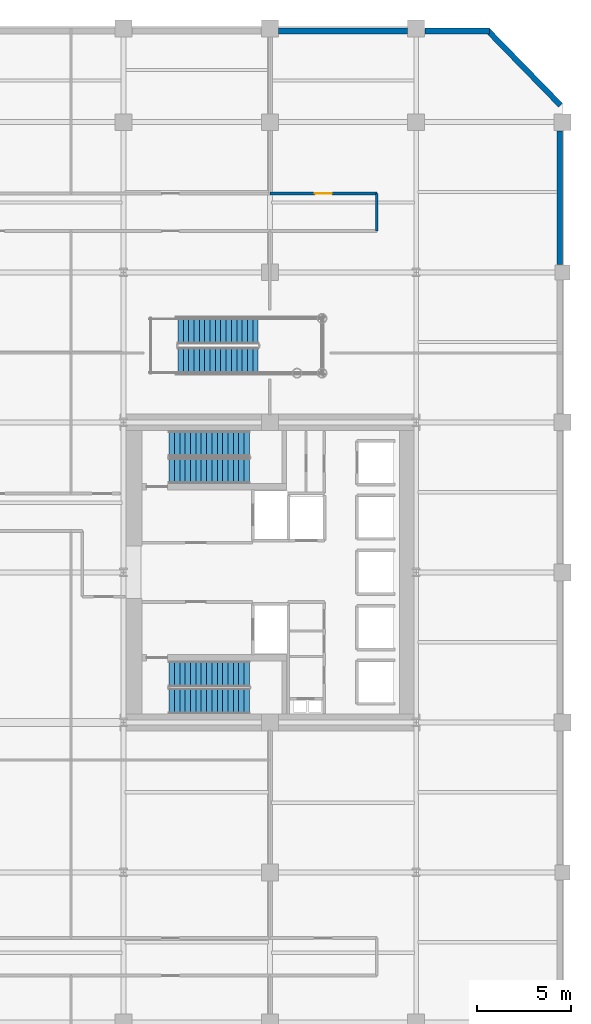
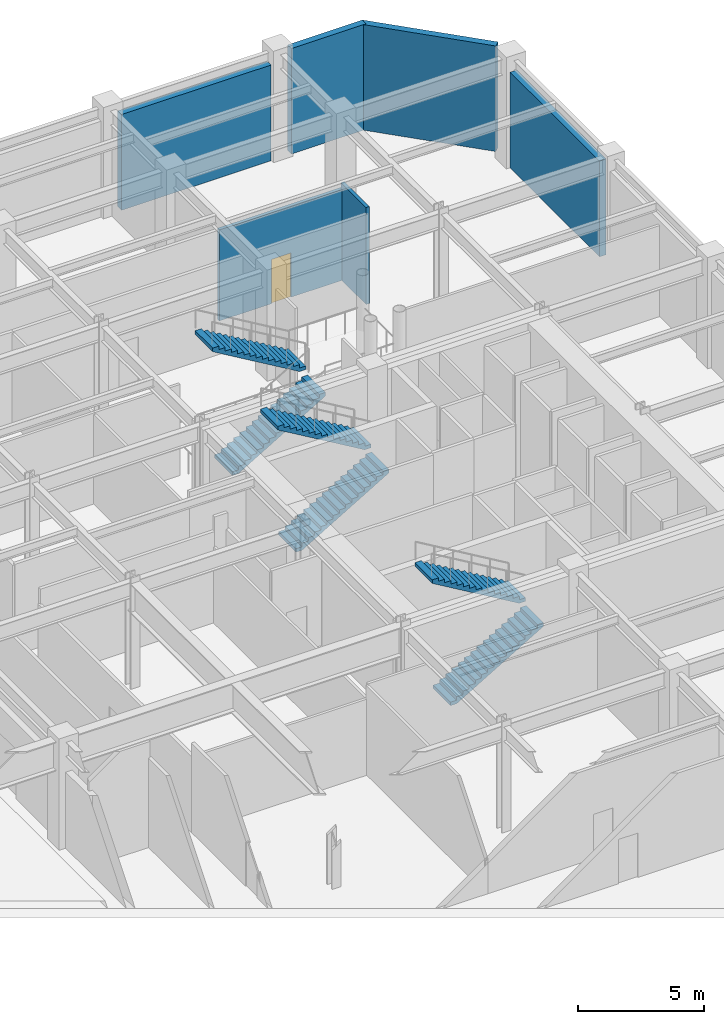
# One storey, part 10 of 11: 6 stair flights, 6 walls, 1 door, 1 opening, 3 elements without a shape of their own.
"""IFC4 building model written with IfcOpenShell, lengths in metres."""

from ifc_helpers import new_model, si_unit, direction, frame, frame_2d, origin, place, context, subcontext, project, spatial, polyline, rectangle, outline, extrude, material, layer, layer_set, type_object, element, fill, aggregate, save


model = new_model("IFC4")

# Units and contexts
model_context = context("Model", 3, precision=1e-05, world=origin(), true_north=direction((0.0, 1.0)))
body_context = subcontext(model_context, "Body", "Model", "MODEL_VIEW")
ifc_project = project(units=[si_unit("LENGTHUNIT", "METRE"), si_unit("AREAUNIT", "SQUARE_METRE"), si_unit("VOLUMEUNIT", "CUBIC_METRE"), si_unit("PLANEANGLEUNIT", "RADIAN"), si_unit("MASSUNIT", "GRAM", prefix="KILO")], contexts=[model_context])

# Site, building, storey
site_placement = place(None, origin())
site = spatial("IfcSite", under=ifc_project, at=site_placement, CompositionType="ELEMENT")
building_placement = place(site_placement, origin())
building = spatial("IfcBuilding", under=site, at=building_placement, Name="Veymaron Broadcast Tower", CompositionType="ELEMENT")
storey_placement = place(building_placement, frame((0.0, 0.0, 16.199951171875)))
storey = spatial("IfcBuildingStorey", under=building, at=storey_placement, Name="L03", CompositionType="ELEMENT", Elevation=16.199951171875)

# Walls
ifc_material_1 = material(Name="Precast concrete C40/50 with mineral-wool insulation", Category="concrete")
ifc_layer_1 = layer(ifc_material_1, 0.300048828125)
ifc_layer_set_1 = layer_set([ifc_layer_1], Name="Precast concrete C40/50 with mineral-wool insulation")
wall_type_1 = type_object("IfcWallType", Name="WALL-EXT-300", PredefinedType="STANDARD", material=ifc_layer_set_1)
wall_1_placement = place(storey_placement, frame((62.260009765625, 40.41796875, 0.0), z_axis=(0.0, 0.0, 1.0), x_axis=(0.0, 1.0, 0.0)))
element("IfcWall", 1, at=wall_1_placement, inside=storey, type_object=wall_type_1, Name="L03 notched corner facade pier 2-7", PredefinedType="STANDARD", context=body_context, shape_type="SweptSolid", body=[
    extrude(rectangle(XDim=7.114013671875, YDim=0.300048828125, at=frame_2d((3.55712890625, 0.0))), origin(), (0.0, 0.0, 1.0), 4.64794921875),
])
wall_2_placement = place(storey_placement, frame((62.2998046875, 48.90234375, 0.0), z_axis=(0.0, 0.0, 1.0), x_axis=(-0.698091174493, 0.716008877106, 0.0)))
element("IfcWall", 2, at=wall_2_placement, inside=storey, type_object=wall_type_1, Name="L03 notched corner facade pier 3-1", PredefinedType="STANDARD", context=body_context, shape_type="SweptSolid", body=[
    extrude(rectangle(XDim=5.58642578125, YDim=0.300048828125, at=frame_2d((2.793212890625, 0.0))), origin(), (0.0, 0.0, 1.0), 5.1201171875),
])
wall_3_placement = place(storey_placement, frame((58.5, 52.860107421875, 0.0), z_axis=(0.0, 0.0, 1.0), x_axis=(-1.0, 0.0, 0.0)))
element("IfcWall", 3, at=wall_3_placement, inside=storey, type_object=wall_type_1, Name="L03 notched corner facade pier 4-1", PredefinedType="STANDARD", context=body_context, shape_type="SweptSolid", body=[
    extrude(rectangle(XDim=3.431884765625, YDim=0.300048828125, at=frame_2d((1.7158203125, 0.0))), origin(), (0.0, 0.0, 1.0), 5.1201171875),
])
wall_4_placement = place(storey_placement, frame((54.132080078125, 52.860107421875, 0.0), z_axis=(0.0, 0.0, 1.0), x_axis=(-1.0, 0.0, 0.0)))
element("IfcWall", 4, at=wall_4_placement, inside=storey, type_object=wall_type_1, Name="L03 notched corner facade pier 4-2", PredefinedType="STANDARD", context=body_context, shape_type="SweptSolid", body=[
    extrude(rectangle(XDim=6.864013671875, YDim=0.300048828125, at=frame_2d((3.43212890625, 0.0))), origin(), (0.0, 0.0, 1.0), 4.64794921875),
])

# Wall, opening, door
ifc_material_2 = material(Name="Gypsum fireboard and steel stud framing", Category="steel")
ifc_layer_2 = layer(ifc_material_2, 0.14990234375)
ifc_layer_set_2 = layer_set([ifc_layer_2], Name="Gypsum fireboard and steel stud framing")
wall_type_2 = type_object("IfcWallType", Name="WALL-FIRE-150", PredefinedType="PARTITIONING", material=ifc_layer_set_2)
wall_5_placement = place(storey_placement, frame((46.800048828125, 44.199951171875, 0.0), z_axis=(0.0, 0.0, 1.0), x_axis=(1.0, 0.0, 0.0)))
wall_5 = element("IfcWall", 5, at=wall_5_placement, inside=storey, type_object=wall_type_2, Name="L03 partition IW-L03-P28", PredefinedType="PARTITIONING", context=body_context, shape_type="SweptSolid", body=[
    extrude(rectangle(XDim=5.699951171875, YDim=0.14990234375, at=frame_2d((2.85009765625, 0.0))), origin(), (0.0, 0.0, 1.0), 4.4150390625),
])
opening_placement = place(wall_5_placement, frame((2.39990234375, 0.0, 0.0)))
opening = element("IfcOpeningElement", 6, at=opening_placement, cuts=wall_5, Name="Opening ID-RM2", PredefinedType="OPENING", context=body_context, shape_type="SweptSolid", body=[
    extrude(rectangle(XDim=0.89990234375, YDim=2.14990234375, at=frame_2d((0.449951171875, 1.074951171875))), frame((0.0, 0.0849609375, 0.0), z_axis=(0.0, -1.0, 0.0), x_axis=(1.0, 0.0, 0.0)), (0.0, 0.0, 1.0), 0.169921875),
])
ifc_material_3 = material(Name="Acoustic solid-core European oak veneer timber", Category="wood")
door_type = type_object("IfcDoorType", Name="DOOR-INT-900", OperationType="NOTDEFINED", PredefinedType="DOOR", material=ifc_material_3)
door_placement = place(opening_placement, origin())
door = element("IfcDoor", 7, at=door_placement, inside=storey, type_object=door_type, Name="L03 door DR-L03-P28", OperationType="SINGLE_SWING_LEFT", OverallHeight=2.14990234375, OverallWidth=0.89990234375, PredefinedType="DOOR", context=body_context, shape_type="SweptSolid", body=[
    extrude(rectangle(XDim=0.89990234375, YDim=2.14990234375, at=frame_2d((0.449951171875, 1.074951171875))), frame((0.0, 0.02490234375, 0.0), z_axis=(0.0, -1.0, 0.0), x_axis=(1.0, 0.0, 0.0)), (0.0, 0.0, 1.0), 0.050048828125),
])
fill(opening, door)

# Wall
wall_6_placement = place(storey_placement, frame((52.5, 42.199951171875, 0.0), z_axis=(0.0, 0.0, 1.0), x_axis=(0.0, 1.0, 0.0)))
element("IfcWall", 8, at=wall_6_placement, inside=storey, type_object=wall_type_2, Name="L03 partition IW-L03-P30", PredefinedType="PARTITIONING", context=body_context, shape_type="SweptSolid", body=[
    extrude(rectangle(XDim=2.0, YDim=0.14990234375, at=frame_2d((1.0, 0.0))), origin(), (0.0, 0.0, 1.0), 4.700927734375),
])

# Stair, stair flights
ifc_material_4 = material(Name="Concrete C50/60", Category="concrete")
stair_type_1 = type_object("IfcStairType", Name="STAIR-CORE-1", PredefinedType="HALF_TURN_STAIR", material=ifc_material_4)
stair_1_placement = place(storey_placement, origin())
stair_1 = element("IfcStair", 9, at=stair_1_placement, inside=storey, type_object=stair_type_1, Name="L03 North protected dog-leg exit stair ST1", PredefinedType="HALF_TURN_STAIR")
ifc_material_5 = material(Name="Precast concrete C50/60", Category="concrete")
stair_flight_type_1 = type_object("IfcStairFlightType", Name="FLT-CORE-RC", PredefinedType="STRAIGHT", material=ifc_material_5)
stair_flight_1_placement = place(storey_placement, frame((41.429931640625, 29.419921875, 0.0), z_axis=(0.0, 0.0, 1.0), x_axis=(1.0, 0.0, 0.0)))
stair_flight_1 = element("IfcStairFlight", 10, at=stair_flight_1_placement, type_object=stair_flight_type_1, Name="ST1 flight 1", NumberOfRisers=16, NumberOfTreads=15, PredefinedType="STRAIGHT", RiserHeight=0.16875, TreadLength=0.285, context=body_context, shape_type="SweptSolid", body=[
    extrude(outline(polyline([(0.0, 0.0), (0.0, 0.168701171875), (0.284912109375, 0.168701171875), (0.284912109375, 0.33740234375), (0.570068359375, 0.33740234375), (0.570068359375, 0.50634765625), (0.85498046875, 0.50634765625), (0.85498046875, 0.675048828125), (1.139892578125, 0.675048828125), (1.139892578125, 0.84375), (1.425048828125, 0.84375), (1.425048828125, 1.012451171875), (1.7099609375, 1.012451171875), (1.7099609375, 1.18115234375), (1.9951171875, 1.18115234375), (1.9951171875, 1.35009765625), (2.280029296875, 1.35009765625), (2.280029296875, 1.518798828125), (2.56494140625, 1.518798828125), (2.56494140625, 1.6875), (2.85009765625, 1.6875), (2.85009765625, 1.856201171875), (3.135009765625, 1.856201171875), (3.135009765625, 2.02490234375), (3.419921875, 2.02490234375), (3.419921875, 2.19384765625), (3.705078125, 2.19384765625), (3.705078125, 2.362548828125), (3.989990234375, 2.362548828125), (3.989990234375, 2.53125), (4.27490234375, 2.53125), (4.27490234375, 2.699951171875), (4.27490234375, 2.35693359375), (0.294189453125, 0.0), (0.0, 0.0)])), frame((0.0, 0.68994140625, 0.0), z_axis=(0.0, -1.0, 0.0), x_axis=(1.0, 0.0, 0.0)), (0.0, 0.0, 1.0), 1.3798828125),
])
stair_flight_2_placement = place(storey_placement, frame((45.705078125, 30.860107421875, 2.699951171875), z_axis=(0.0, 0.0, 1.0), x_axis=(-1.0, 0.0, 0.0)))
stair_flight_2 = element("IfcStairFlight", 11, at=stair_flight_2_placement, type_object=stair_flight_type_1, Name="ST1 flight 2", NumberOfRisers=16, NumberOfTreads=15, PredefinedType="STRAIGHT", RiserHeight=0.16875, TreadLength=0.285, context=body_context, shape_type="SweptSolid", body=[
    extrude(outline(polyline([(0.0, 0.0), (0.0, 0.168701171875), (0.284912109375, 0.168701171875), (0.284912109375, 0.33740234375), (0.570068359375, 0.33740234375), (0.570068359375, 0.50634765625), (0.85498046875, 0.50634765625), (0.85498046875, 0.675048828125), (1.139892578125, 0.675048828125), (1.139892578125, 0.84375), (1.425048828125, 0.84375), (1.425048828125, 1.012451171875), (1.7099609375, 1.012451171875), (1.7099609375, 1.18115234375), (1.9951171875, 1.18115234375), (1.9951171875, 1.35009765625), (2.280029296875, 1.35009765625), (2.280029296875, 1.518798828125), (2.56494140625, 1.518798828125), (2.56494140625, 1.6875), (2.85009765625, 1.6875), (2.85009765625, 1.856201171875), (3.135009765625, 1.856201171875), (3.135009765625, 2.02490234375), (3.419921875, 2.02490234375), (3.419921875, 2.19384765625), (3.705078125, 2.19384765625), (3.705078125, 2.362548828125), (3.989990234375, 2.362548828125), (3.989990234375, 2.53125), (4.27490234375, 2.53125), (4.27490234375, 2.699951171875), (4.27490234375, 2.35693359375), (0.294189453125, 0.0), (0.0, 0.0)])), frame((0.0, 0.68994140625, 0.0), z_axis=(0.0, -1.0, 0.0), x_axis=(1.0, 0.0, 0.0)), (0.0, 0.0, 1.0), 1.3798828125),
])
aggregate(stair_1, [stair_flight_1, stair_flight_2])

stair_type_2 = type_object("IfcStairType", Name="STAIR-CORE-2", PredefinedType="HALF_TURN_STAIR", material=ifc_material_4)
stair_2_placement = place(storey_placement, origin())
stair_2 = element("IfcStair", 12, at=stair_2_placement, inside=storey, type_object=stair_type_2, Name="L03 South protected dog-leg exit stair ST2", PredefinedType="HALF_TURN_STAIR")
stair_flight_3_placement = place(storey_placement, frame((41.429931640625, 17.139892578125, 0.0), z_axis=(0.0, 0.0, 1.0), x_axis=(1.0, 0.0, 0.0)))
stair_flight_3 = element("IfcStairFlight", 13, at=stair_flight_3_placement, type_object=stair_flight_type_1, Name="ST2 flight 1", NumberOfRisers=16, NumberOfTreads=15, PredefinedType="STRAIGHT", RiserHeight=0.16875, TreadLength=0.285, context=body_context, shape_type="SweptSolid", body=[
    extrude(outline(polyline([(0.0, 0.0), (0.0, 0.168701171875), (0.284912109375, 0.168701171875), (0.284912109375, 0.33740234375), (0.570068359375, 0.33740234375), (0.570068359375, 0.50634765625), (0.85498046875, 0.50634765625), (0.85498046875, 0.675048828125), (1.139892578125, 0.675048828125), (1.139892578125, 0.84375), (1.425048828125, 0.84375), (1.425048828125, 1.012451171875), (1.7099609375, 1.012451171875), (1.7099609375, 1.18115234375), (1.9951171875, 1.18115234375), (1.9951171875, 1.35009765625), (2.280029296875, 1.35009765625), (2.280029296875, 1.518798828125), (2.56494140625, 1.518798828125), (2.56494140625, 1.6875), (2.85009765625, 1.6875), (2.85009765625, 1.856201171875), (3.135009765625, 1.856201171875), (3.135009765625, 2.02490234375), (3.419921875, 2.02490234375), (3.419921875, 2.19384765625), (3.705078125, 2.19384765625), (3.705078125, 2.362548828125), (3.989990234375, 2.362548828125), (3.989990234375, 2.53125), (4.27490234375, 2.53125), (4.27490234375, 2.699951171875), (4.27490234375, 2.35693359375), (0.294189453125, 0.0), (0.0, 0.0)])), frame((0.0, 0.68994140625, 0.0), z_axis=(0.0, -1.0, 0.0), x_axis=(1.0, 0.0, 0.0)), (0.0, 0.0, 1.0), 1.3798828125),
])
stair_flight_4_placement = place(storey_placement, frame((45.705078125, 18.580078125, 2.699951171875), z_axis=(0.0, 0.0, 1.0), x_axis=(-1.0, 0.0, 0.0)))
stair_flight_4 = element("IfcStairFlight", 14, at=stair_flight_4_placement, type_object=stair_flight_type_1, Name="ST2 flight 2", NumberOfRisers=16, NumberOfTreads=15, PredefinedType="STRAIGHT", RiserHeight=0.16875, TreadLength=0.285, context=body_context, shape_type="SweptSolid", body=[
    extrude(outline(polyline([(0.0, 0.0), (0.0, 0.168701171875), (0.284912109375, 0.168701171875), (0.284912109375, 0.33740234375), (0.570068359375, 0.33740234375), (0.570068359375, 0.50634765625), (0.85498046875, 0.50634765625), (0.85498046875, 0.675048828125), (1.139892578125, 0.675048828125), (1.139892578125, 0.84375), (1.425048828125, 0.84375), (1.425048828125, 1.012451171875), (1.7099609375, 1.012451171875), (1.7099609375, 1.18115234375), (1.9951171875, 1.18115234375), (1.9951171875, 1.35009765625), (2.280029296875, 1.35009765625), (2.280029296875, 1.518798828125), (2.56494140625, 1.518798828125), (2.56494140625, 1.6875), (2.85009765625, 1.6875), (2.85009765625, 1.856201171875), (3.135009765625, 1.856201171875), (3.135009765625, 2.02490234375), (3.419921875, 2.02490234375), (3.419921875, 2.19384765625), (3.705078125, 2.19384765625), (3.705078125, 2.362548828125), (3.989990234375, 2.362548828125), (3.989990234375, 2.53125), (4.27490234375, 2.53125), (4.27490234375, 2.699951171875), (4.27490234375, 2.35693359375), (0.294189453125, 0.0), (0.0, 0.0)])), frame((0.0, 0.68994140625, 0.0), z_axis=(0.0, -1.0, 0.0), x_axis=(1.0, 0.0, 0.0)), (0.0, 0.0, 1.0), 1.3798828125),
])
aggregate(stair_2, [stair_flight_3, stair_flight_4])

ifc_material_6 = material(Name="Structural steel ASTM A992 Gr 50", Category="steel")
stair_type_3 = type_object("IfcStairType", Name="STAIR-FEAT-01", PredefinedType="HALF_TURN_STAIR", material=ifc_material_6)
stair_3_placement = place(storey_placement, origin())
stair_3 = element("IfcStair", 15, at=stair_3_placement, inside=storey, type_object=stair_type_3, Name="L03 Waterfront concourse monumental feature stair STF1", PredefinedType="HALF_TURN_STAIR")
stair_flight_type_2 = type_object("IfcStairFlightType", Name="FLT-FEAT-STL", PredefinedType="STRAIGHT", material=ifc_material_6)
stair_flight_5_placement = place(storey_placement, frame((41.89990234375, 35.300048828125, 0.0), z_axis=(0.0, 0.0, 1.0), x_axis=(1.0, 0.0, 0.0)))
stair_flight_5 = element("IfcStairFlight", 16, at=stair_flight_5_placement, type_object=stair_flight_type_2, Name="STF1 flight 1", NumberOfRisers=16, NumberOfTreads=15, PredefinedType="STRAIGHT", RiserHeight=0.16875, TreadLength=0.285, context=body_context, shape_type="SweptSolid", body=[
    extrude(outline(polyline([(0.0, 0.0), (0.0, 0.168701171875), (0.284912109375, 0.168701171875), (0.284912109375, 0.33740234375), (0.570068359375, 0.33740234375), (0.570068359375, 0.50634765625), (0.85498046875, 0.50634765625), (0.85498046875, 0.675048828125), (1.139892578125, 0.675048828125), (1.139892578125, 0.84375), (1.425048828125, 0.84375), (1.425048828125, 1.012451171875), (1.7099609375, 1.012451171875), (1.7099609375, 1.18115234375), (1.9951171875, 1.18115234375), (1.9951171875, 1.35009765625), (2.280029296875, 1.35009765625), (2.280029296875, 1.518798828125), (2.56494140625, 1.518798828125), (2.56494140625, 1.6875), (2.85009765625, 1.6875), (2.85009765625, 1.856201171875), (3.135009765625, 1.856201171875), (3.135009765625, 2.02490234375), (3.419921875, 2.02490234375), (3.419921875, 2.19384765625), (3.705078125, 2.19384765625), (3.705078125, 2.362548828125), (3.989990234375, 2.362548828125), (3.989990234375, 2.53125), (4.27490234375, 2.53125), (4.27490234375, 2.699951171875), (4.27490234375, 2.35693359375), (0.294189453125, 0.0), (0.0, 0.0)])), frame((0.0, 0.699951171875, 0.0), z_axis=(0.0, -1.0, 0.0), x_axis=(1.0, 0.0, 0.0)), (0.0, 0.0, 1.0), 1.39990234375),
])
stair_flight_6_placement = place(storey_placement, frame((46.175048828125, 36.860107421875, 2.699951171875), z_axis=(0.0, 0.0, 1.0), x_axis=(-1.0, 0.0, 0.0)))
stair_flight_6 = element("IfcStairFlight", 17, at=stair_flight_6_placement, type_object=stair_flight_type_2, Name="STF1 flight 2", NumberOfRisers=16, NumberOfTreads=15, PredefinedType="STRAIGHT", RiserHeight=0.16875, TreadLength=0.285, context=body_context, shape_type="SweptSolid", body=[
    extrude(outline(polyline([(0.0, 0.0), (0.0, 0.168701171875), (0.284912109375, 0.168701171875), (0.284912109375, 0.33740234375), (0.570068359375, 0.33740234375), (0.570068359375, 0.50634765625), (0.85498046875, 0.50634765625), (0.85498046875, 0.675048828125), (1.139892578125, 0.675048828125), (1.139892578125, 0.84375), (1.425048828125, 0.84375), (1.425048828125, 1.012451171875), (1.7099609375, 1.012451171875), (1.7099609375, 1.18115234375), (1.9951171875, 1.18115234375), (1.9951171875, 1.35009765625), (2.280029296875, 1.35009765625), (2.280029296875, 1.518798828125), (2.56494140625, 1.518798828125), (2.56494140625, 1.6875), (2.85009765625, 1.6875), (2.85009765625, 1.856201171875), (3.135009765625, 1.856201171875), (3.135009765625, 2.02490234375), (3.419921875, 2.02490234375), (3.419921875, 2.19384765625), (3.705078125, 2.19384765625), (3.705078125, 2.362548828125), (3.989990234375, 2.362548828125), (3.989990234375, 2.53125), (4.27490234375, 2.53125), (4.27490234375, 2.699951171875), (4.27490234375, 2.35693359375), (0.294189453125, 0.0), (0.0, 0.0)])), frame((0.0, 0.699951171875, 0.0), z_axis=(0.0, -1.0, 0.0), x_axis=(1.0, 0.0, 0.0)), (0.0, 0.0, 1.0), 1.39990234375),
])
aggregate(stair_3, [stair_flight_5, stair_flight_6])

save(model, "model.ifc")
